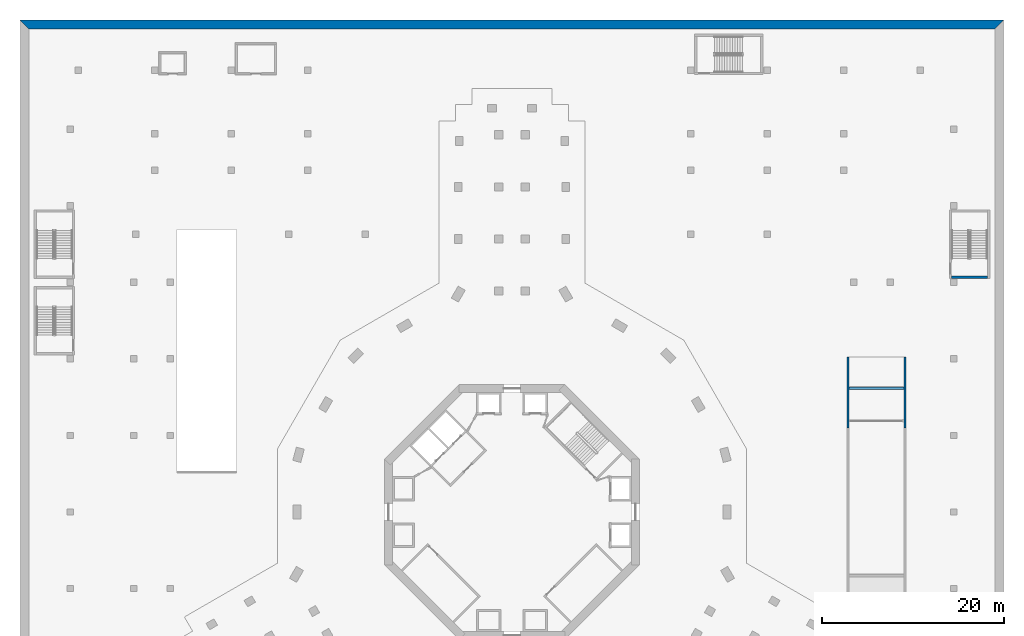
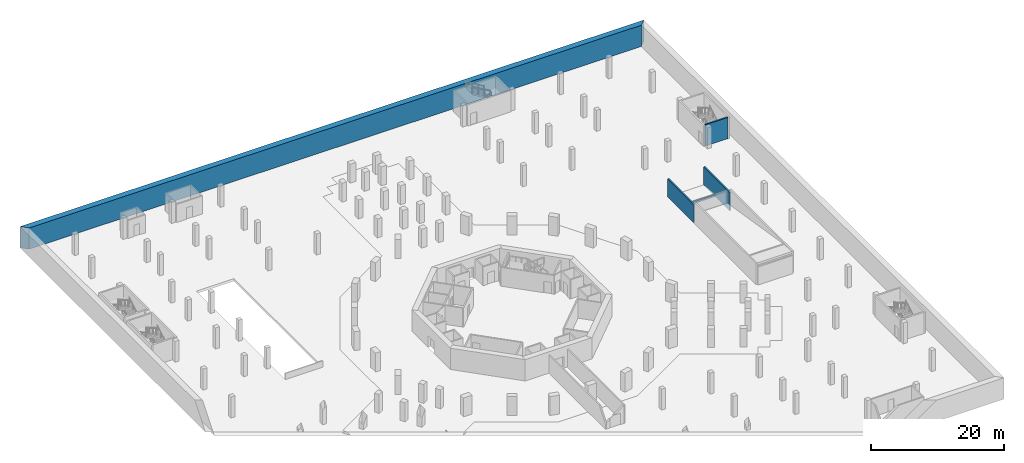
# One storey, part 11 of 25: 5 walls.
"""IFC4 building model written with IfcOpenShell, lengths in metres."""

import ifcopenshell
import ifcopenshell.guid

model = None  # the IFC model being written
_history = None  # IfcOwnerHistory: only IFC2X3 demands one
_inside = {}  # id of a spatial element -> (the spatial element, [elements in it])
_under = {}  # id of a project, library or spatial element -> (it, [spatial elements below it])
_declared = {}  # id of a project -> (the project, [libraries it declares])
_typed = {}  # id of a type object -> (the type object, [elements of that type])
_made_of = {}  # id of a material, layer set ... -> (it, [elements and type objects made of it])


def new_model(schema):
    """Start an empty IFC model of exactly this schema.

    Asked for "IFC4X3", IfcOpenShell would pick the latest addendum, in which some entities
    have other attributes; the version numbers below select the first issue.
    IFC2X3 requires an IfcOwnerHistory on every rooted entity: one is made here for all.
    """
    global model, _history
    if schema == "IFC4X3":
        model = ifcopenshell.file(schema_version=(4, 3, 0, 0))
    else:
        model = ifcopenshell.file(schema=schema)
    _inside.clear()
    _under.clear()
    _declared.clear()
    _typed.clear()
    _made_of.clear()
    _history = None
    if model.schema == "IFC2X3":
        org = make("IfcOrganization", Name="unknown")
        user = make(
            "IfcPersonAndOrganization",
            ThePerson=make("IfcPerson", FamilyName="unknown"),
            TheOrganization=org,
        )
        app = make(
            "IfcApplication",
            ApplicationDeveloper=org,
            Version="unknown",
            ApplicationFullName="unknown",
            ApplicationIdentifier="unknown",
        )
        _history = make(
            "IfcOwnerHistory",
            OwningUser=user,
            OwningApplication=app,
            ChangeAction="ADDED",
            CreationDate=0,
        )
    return model


def make(cls, **values):
    """One entity of the class cls with the attributes given. An attribute that is None is left unset."""
    return model.create_entity(
        cls, **{name: value for name, value in values.items() if value is not None}
    )


def rooted(cls, **values):
    """An entity with a GlobalId (a new one), such as an element, a storey or a relation."""
    return make(cls, GlobalId=ifcopenshell.guid.new(), OwnerHistory=_history, **values)


def si_unit(unit_type, name, prefix=None):
    """IfcSIUnit, for example si_unit("LENGTHUNIT", "METRE", prefix="MILLI")."""
    return make("IfcSIUnit", UnitType=unit_type, Prefix=prefix, Name=name)


def assignment(units):
    """IfcUnitAssignment: the units of a project."""
    return None if units is None else make("IfcUnitAssignment", Units=units)


def point(xyz):
    """IfcCartesianPoint."""
    return None if xyz is None else make("IfcCartesianPoint", Coordinates=xyz)


def direction(xyz):
    """IfcDirection."""
    return None if xyz is None else make("IfcDirection", DirectionRatios=xyz)


def frame(location, z_axis=None, x_axis=None):
    """IfcAxis2Placement3D, a coordinate frame: its origin and axes. An axis left out is left unset."""
    return make(
        "IfcAxis2Placement3D",
        Location=point(location),
        Axis=direction(z_axis),
        RefDirection=direction(x_axis),
    )


def frame_2d(location, x_axis=None):
    """IfcAxis2Placement2D, a coordinate frame in the plane: its origin and x axis."""
    return make(
        "IfcAxis2Placement2D", Location=point(location), RefDirection=direction(x_axis)
    )


def origin():
    """The frame at (0, 0, 0) with its axes left unset."""
    return frame((0.0, 0.0, 0.0))


def place(relative_to, where):
    """IfcLocalPlacement: puts the frame where relative to a parent placement (None: the world)."""
    return make(
        "IfcLocalPlacement", PlacementRelTo=relative_to, RelativePlacement=where
    )


def context(
    kind, dimensions, precision=None, world=None, true_north=None, identifier=None
):
    """IfcGeometricRepresentationContext, for example the 3D "Model" context."""
    return make(
        "IfcGeometricRepresentationContext",
        ContextIdentifier=identifier,
        ContextType=kind,
        CoordinateSpaceDimension=dimensions,
        Precision=precision,
        WorldCoordinateSystem=world,
        TrueNorth=true_north,
    )


def subcontext(parent, identifier, kind, view, scale=None):
    """IfcGeometricRepresentationSubContext, for example "Body" below "Model"."""
    return make(
        "IfcGeometricRepresentationSubContext",
        ContextIdentifier=identifier,
        ContextType=kind,
        ParentContext=parent,
        TargetScale=scale,
        TargetView=view,
    )


def project(units=None, contexts=None):
    """IfcProject with its units and contexts."""
    return rooted(
        "IfcProject",
        Name="project",
        RepresentationContexts=contexts,
        UnitsInContext=assignment(units),
    )


def spatial(cls, under=None, at=None, **own):
    """A site, building, storey or space (cls), placed at a placement, below another one or the project."""
    s = rooted(cls, ObjectPlacement=at, **own)
    if under is not None:
        _under.setdefault(under.id(), (under, []))[1].append(s)
    return s


def polyline(points):
    """IfcPolyline through the points."""
    return make("IfcPolyline", Points=[point(p) for p in points])


def profile(cls, at=None, kind="AREA", **sizes):
    """A parametric profile (cls). Its sizes go by their IFC names, for example OverallWidth=200.0."""
    return make(cls, ProfileType=kind, Position=at, **sizes)


def rectangle(**sizes):
    """IfcRectangleProfileDef."""
    return profile("IfcRectangleProfileDef", **sizes)


def outline(outer, holes=None, kind="AREA"):
    """IfcArbitraryClosedProfileDef: a profile drawn as a closed curve; with holes, ...WithVoids."""
    if holes is None:
        return make("IfcArbitraryClosedProfileDef", ProfileType=kind, OuterCurve=outer)
    return make(
        "IfcArbitraryProfileDefWithVoids",
        ProfileType=kind,
        OuterCurve=outer,
        InnerCurves=holes,
    )


def extrude(swept, where, along, depth):
    """IfcExtrudedAreaSolid: the profile swept, set in the frame where, extruded along a direction by depth."""
    return make(
        "IfcExtrudedAreaSolid",
        SweptArea=swept,
        Position=where,
        ExtrudedDirection=direction(along),
        Depth=depth,
    )


def shape(context_of_items, identifier, shape_type, items):
    """IfcShapeRepresentation: the items that make up one representation, for example the "Body"."""
    return make(
        "IfcShapeRepresentation",
        ContextOfItems=context_of_items,
        RepresentationIdentifier=identifier,
        RepresentationType=shape_type,
        Items=items,
    )


def material(Name=None, Category=None):
    """IfcMaterial."""
    return make("IfcMaterial", Name=Name, Category=Category)


def layer(
    of_material, thickness, ventilated=None, Name=None, Category=None, Priority=None
):
    """IfcMaterialLayer: one layer of a wall or slab, of a material (None: an air gap)."""
    return make(
        "IfcMaterialLayer",
        Material=of_material,
        LayerThickness=thickness,
        IsVentilated=ventilated,
        Name=Name,
        Category=Category,
        Priority=Priority,
    )


def layer_set(layers, Name=None):
    """IfcMaterialLayerSet."""
    return make("IfcMaterialLayerSet", MaterialLayers=layers, LayerSetName=Name)


def made_of(thing, what):
    """Note that an element or type object is made of a material, layer set ...; save() writes the relation."""
    if what is not None:
        _made_of.setdefault(what.id(), (what, []))[1].append(thing)
    return thing


def type_object(cls, material=None, **own):
    """A type object (cls), such as IfcWallType, which elements share."""
    return made_of(rooted(cls, **own), material)


def element(
    cls,
    number,
    at=None,
    inside=None,
    cuts=None,
    type_object=None,
    material=None,
    context=None,
    identifier="Body",
    shape_type=None,
    held_by="IfcProductDefinitionShape",
    body=None,
    shapes=None,
    **own,
):
    """One element of the class cls, such as IfcWall. Its Tag is "e" and its number.

    at: its placement. inside: the storey or other place that contains it. cuts: it is an
    opening in that element (IfcRelVoidsElement). A single representation is given by context,
    identifier, shape_type and body (its items); several are given by shapes. held_by: the class
    of the entity that holds the representations. save() writes the other relations.
    """
    e = rooted(cls, Tag="e%d" % number, ObjectPlacement=at, **own)
    if body is not None:
        shapes = [shape(context, identifier, shape_type, body)]
    if shapes is not None:
        e.Representation = make(held_by, Representations=shapes)
    if inside is not None:
        _inside.setdefault(inside.id(), (inside, []))[1].append(e)
    if cuts is not None:
        rooted(
            "IfcRelVoidsElement", RelatingBuildingElement=cuts, RelatedOpeningElement=e
        )
    if type_object is not None:
        _typed.setdefault(type_object.id(), (type_object, []))[1].append(e)
    return made_of(e, material)


def aggregate(whole, parts):
    """IfcRelAggregates: a whole, such as a stair, and the parts it consists of."""
    return rooted("IfcRelAggregates", RelatingObject=whole, RelatedObjects=parts)


def save(model, path):
    """Write the relations noted so far, then the file.

    IfcRelAggregates (storeys below a building ...), IfcRelContainedInSpatialStructure (elements
    in a storey), IfcRelDefinesByType, IfcRelAssociatesMaterial and IfcRelDeclares: one each for
    every whole, place, type object, material and project.
    """
    for whole, parts in _under.values():
        aggregate(whole, parts)
    for where, things in _inside.values():
        rooted(
            "IfcRelContainedInSpatialStructure",
            RelatedElements=things,
            RelatingStructure=where,
        )
    for kind, things in _typed.values():
        rooted("IfcRelDefinesByType", RelatedObjects=things, RelatingType=kind)
    for what, things in _made_of.values():
        rooted("IfcRelAssociatesMaterial", RelatedObjects=things, RelatingMaterial=what)
    for by, libraries in _declared.values():
        rooted("IfcRelDeclares", RelatingContext=by, RelatedDefinitions=libraries)
    model.write(path)


model = new_model("IFC4")

# Units and contexts
model_context = context("Model", 3, precision=1e-05, world=origin(), true_north=direction((0.0, 1.0)))
body_context = subcontext(model_context, "Body", "Model", "MODEL_VIEW")
ifc_project = project(units=[si_unit("LENGTHUNIT", "METRE"), si_unit("AREAUNIT", "SQUARE_METRE"), si_unit("VOLUMEUNIT", "CUBIC_METRE"), si_unit("PLANEANGLEUNIT", "RADIAN"), si_unit("MASSUNIT", "GRAM", prefix="KILO")], contexts=[model_context])

# Site, building, storey
site_placement = place(None, origin())
site = spatial("IfcSite", under=ifc_project, at=site_placement, CompositionType="ELEMENT")
building_placement = place(site_placement, origin())
building = spatial("IfcBuilding", under=site, at=building_placement, Name="Verdalira Terraces Hotel", CompositionType="ELEMENT")
storey_placement = place(building_placement, frame((0.0, 0.0, -3.899902)))
storey = spatial("IfcBuildingStorey", under=building, at=storey_placement, Name="B1", CompositionType="ELEMENT", Elevation=-3.89990234375)

# Walls
ifc_material_1 = material(Name="Concrete C40", Category="concrete")
ifc_layer_1 = layer(ifc_material_1, 0.25)
ifc_layer_set_1 = layer_set([ifc_layer_1], Name="Ramp lower joint wall 250 C40")
wall_type_1 = type_object("IfcWallType", Name="Ramp lower joint wall 250 C40", PredefinedType="SOLIDWALL", material=ifc_layer_set_1)
wall_1_placement = place(storey_placement, frame((37.0, 13.59082, 0.0), z_axis=(0.0, 0.0, 1.0), x_axis=(1.0, 0.0, 0.0)))
element("IfcWall", 1, at=wall_1_placement, inside=storey, type_object=wall_type_1, Name="Street ramp lower joint wall", PredefinedType="SOLIDWALL", context=body_context, shape_type="SweptSolid", body=[
    extrude(rectangle(XDim=6.0, YDim=0.25, at=frame_2d((3.0, 0.0))), origin(), (0.0, 0.0, 1.0), 0.395264),
])
ifc_material_2 = material(Name="Concrete C40", Category="concrete")
ifc_layer_2 = layer(ifc_material_2, 0.25)
ifc_layer_set_2 = layer_set([ifc_layer_2], Name="Ramp side wall covered 250 C40")
wall_type_2 = type_object("IfcWallType", Name="Ramp side wall covered 250 C40", PredefinedType="SOLIDWALL", material=ifc_layer_set_2)
for number, where, z_axis, x_axis, name in (
    (2, (36.875, 9.199951, 0.0), (0.0, 0.0, 1.0), (0.0, 1.0, 0.0), "Street ramp side wall W"),
    (3, (43.125, 9.199951, 0.0), (0.0, 0.0, 1.0), (0.0, 1.0, 0.0), "Street ramp side wall E"),
):
    element("IfcWall", number, at=place(storey_placement, frame(where, z_axis=z_axis, x_axis=x_axis)), inside=storey, type_object=wall_type_2, Name=name, PredefinedType="SOLIDWALL", context=body_context, shape_type="SweptSolid", body=[
        extrude(rectangle(XDim=7.800049, YDim=0.25, at=frame_2d((3.899902, 0.0))), origin(), (0.0, 0.0, 1.0), 3.299805),
    ])
ifc_material_3 = material(Name="Concrete C40", Category="concrete")
ifc_layer_3 = layer(ifc_material_3, 1.0)
ifc_layer_set_3 = layer_set([ifc_layer_3], Name="Retaining wall 1000 C40")
wall_type_3 = type_object("IfcWallType", Name="Retaining wall 1000 C40", PredefinedType="SOLIDWALL", material=ifc_layer_set_3)
wall_2_placement = place(storey_placement, origin())
element("IfcWall", 4, at=wall_2_placement, inside=storey, type_object=wall_type_3, Name="Retaining wall B1 side 1", PredefinedType="SOLIDWALL", context=body_context, shape_type="SweptSolid", body=[
    extrude(outline(polyline([(54.0, 54.0), (-54.0, 54.0), (-53.0, 53.0), (53.0, 53.0), (54.0, 54.0)])), origin(), (0.0, 0.0, 1.0), 3.899902),
])
ifc_material_4 = material(Name="Concrete C40", Category="concrete")
ifc_layer_4 = layer(ifc_material_4, 0.25)
ifc_layer_set_4 = layer_set([ifc_layer_4], Name="Stair enclosure wall 250 C40")
wall_type_4 = type_object("IfcWallType", Name="Stair enclosure wall 250 C40", PredefinedType="SOLIDWALL", material=ifc_layer_set_4)
wall_3_placement = place(storey_placement, frame((52.199951, 25.774902, 0.0), z_axis=(0.0, 0.0, 1.0), x_axis=(-1.0, 0.0, 0.0)))
element("IfcWall", 5, at=wall_3_placement, inside=storey, type_object=wall_type_4, Name="Stair BS5 enclosure wall", PredefinedType="SOLIDWALL", context=body_context, shape_type="SweptSolid", body=[
    extrude(rectangle(XDim=3.949951, YDim=0.25, at=frame_2d((1.975098, 0.0))), origin(), (0.0, 0.0, 1.0), 3.899902),
])

save(model, "model.ifc")
